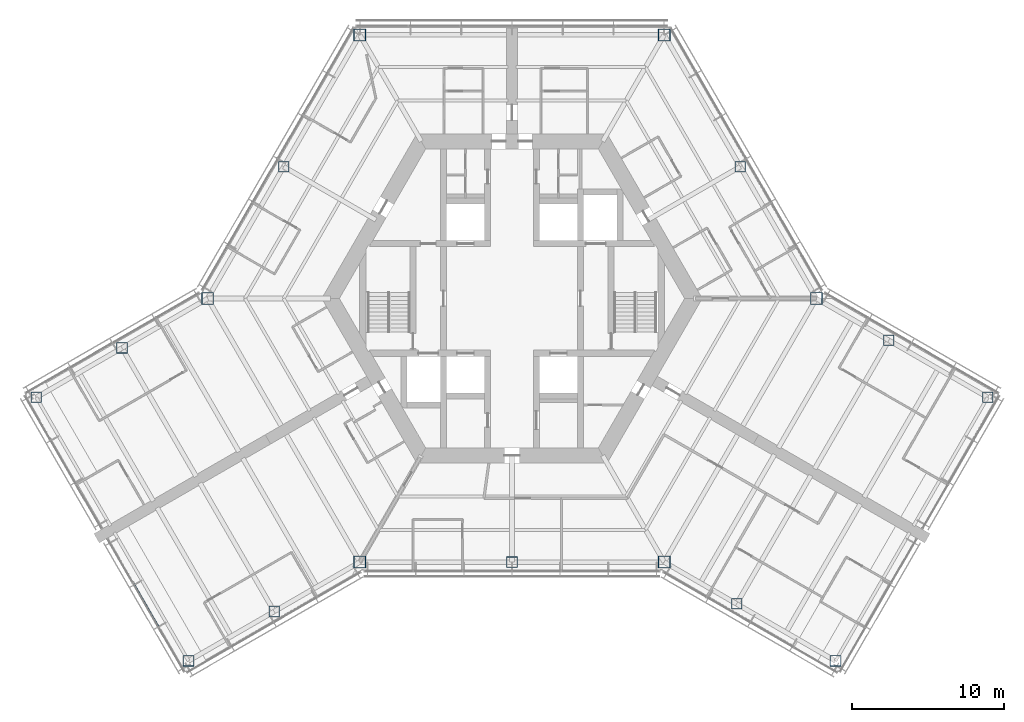
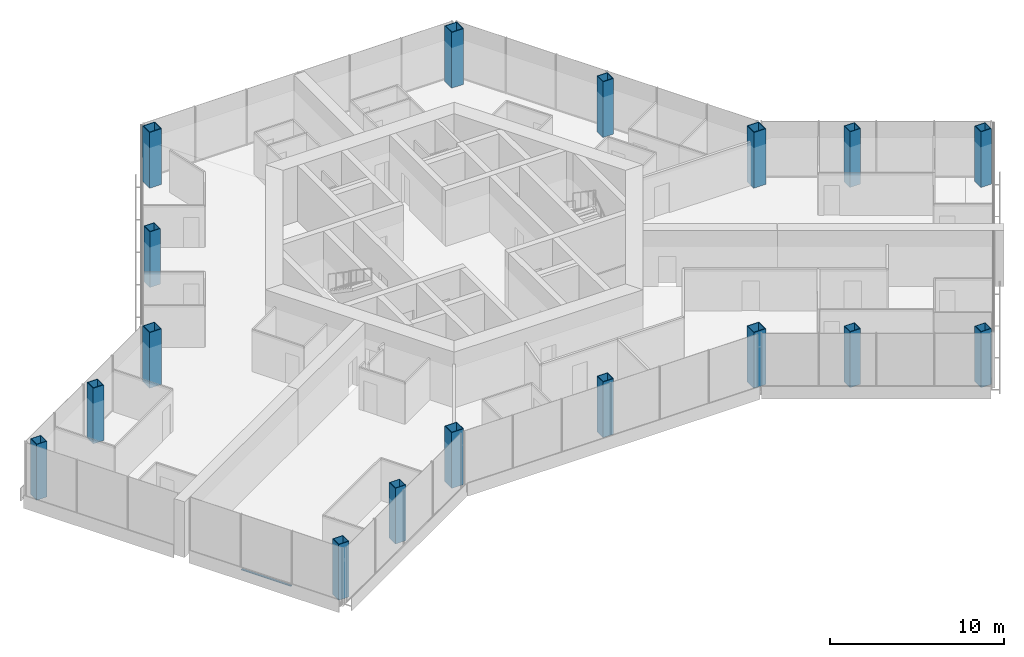
# One storey, part 1 of 18: 17 columns, 1 member, 1 element without a shape of its own.
"""IFC4 building model written with IfcOpenShell, lengths in metres."""

from ifc_helpers import new_model, si_unit, direction, frame, origin, origin_2d, place, context, subcontext, project, spatial, rectangle, hollow_rectangle, extrude, material, material_profile, profile_set, type_object, element, aggregate, save


model = new_model("IFC4")

# Units and contexts
model_context = context("Model", 3, precision=1e-05, world=origin(), true_north=direction((0.0, 1.0)))
body_context = subcontext(model_context, "Body", "Model", "MODEL_VIEW")
ifc_project = project(units=[si_unit("LENGTHUNIT", "METRE"), si_unit("AREAUNIT", "SQUARE_METRE"), si_unit("VOLUMEUNIT", "CUBIC_METRE"), si_unit("PLANEANGLEUNIT", "RADIAN"), si_unit("MASSUNIT", "GRAM", prefix="KILO")], contexts=[model_context])

# Site, building, storey
site_placement = place(None, origin())
site = spatial("IfcSite", under=ifc_project, at=site_placement, CompositionType="ELEMENT")
building_placement = place(site_placement, origin())
building = spatial("IfcBuilding", under=site, at=building_placement, Name="Kasaneha Research Tower", CompositionType="ELEMENT")
storey_placement = place(building_placement, frame((0.0, 0.0, 168.199951171875)))
storey = spatial("IfcBuildingStorey", under=building, at=storey_placement, Name="L42", CompositionType="ELEMENT", Elevation=168.199951171875)

# Columns
ifc_material_1 = material(Name="Steel SN490C", Category="steel")
ifc_material_profile_1 = material_profile(ifc_material_1, hollow_rectangle(XDim=0.800048828125, YDim=0.800048828125, WallThickness=0.044921875, at=origin_2d()), Name="BOX-800x800x45")
ifc_profile_set_1 = profile_set([ifc_material_profile_1], Name="Steel SN490C")
column_type_1 = type_object("IfcColumnType", Name="C3A column BOX-800x800x45", PredefinedType="COLUMN", material=ifc_profile_set_1)
for number, where, z_axis, x_axis, name in (
    (1, (20.0, 0.0, 0.0), (0.0, 0.0, 1.0), (1.0, 0.0, 0.0), "Column V0 L42"),
    (2, (10.0, 17.320556640625, 0.0), (0.0, 0.0, 1.0), (1.0, 0.0, 0.0), "Column V1 L42"),
    (3, (-10.0, 17.320556640625, 0.0), (0.0, 0.0, 1.0), (1.0, 0.0, 0.0), "Column V2 L42"),
    (4, (-20.0, 0.0, 0.0), (0.0, 0.0, 1.0), (1.0, 0.0, 0.0), "Column V3 L42"),
    (5, (-10.0, -17.320556640625, 0.0), (0.0, 0.0, 1.0), (1.0, 0.0, 0.0), "Column V4 L42"),
    (6, (10.0, -17.320556640625, 0.0), (0.0, 0.0, 1.0), (1.0, 0.0, 0.0), "Column V5 L42"),
):
    element("IfcColumn", number, at=place(storey_placement, frame(where, z_axis=z_axis, x_axis=x_axis)), inside=storey, type_object=column_type_1, Name=name, PredefinedType="COLUMN", context=body_context, shape_type="SweptSolid", body=[
        extrude(hollow_rectangle(XDim=0.800048828125, YDim=0.800048828125, WallThickness=0.044921875, at=origin_2d()), origin(), (0.0, 0.0, 1.0), 3.900146484375),
    ])
ifc_material_2 = material(Name="Steel SN490C", Category="steel")
ifc_material_profile_2 = material_profile(ifc_material_2, hollow_rectangle(XDim=0.699951171875, YDim=0.699951171875, WallThickness=0.035888671875, at=origin_2d()), Name="BOX-700x700x36")
ifc_profile_set_2 = profile_set([ifc_material_profile_2], Name="Steel SN490C")
column_type_2 = type_object("IfcColumnType", Name="C3B column BOX-700x700x36", PredefinedType="COLUMN", material=ifc_profile_set_2)
for number, where, z_axis, x_axis, name in (
    (7, (15.0, 8.66015625, 0.0), (0.0, 0.0, 1.0), (1.0, 0.0, 0.0), "Column M030 L42"),
    (8, (-15.0, 8.66015625, 0.0), (0.0, 0.0, 1.0), (1.0, 0.0, 0.0), "Column M150 L42"),
    (9, (0.0, -17.320556640625, 0.0), (0.0, 0.0, 1.0), (1.0, 0.0, 0.0), "Column M270 L42"),
    (10, (-25.629150390625, -3.25, 0.0), (0.0, 0.0, 1.0), (1.0, 0.0, 0.0), "Column BSP L42"),
    (11, (-31.25830078125, -6.5, 0.0), (0.0, 0.0, 1.0), (1.0, 0.0, 0.0), "Column BTP L42"),
    (12, (-15.629150390625, -20.570556640625, 0.0), (0.0, 0.0, 1.0), (1.0, 0.0, 0.0), "Column BSN L42"),
    (13, (-21.25830078125, -23.820556640625, 0.0), (0.0, 0.0, 1.0), (1.0, 0.0, 0.0), "Column BTN L42"),
    (14, (14.76318359375, -20.070556640625, 0.0), (0.0, 0.0, 1.0), (1.0, 0.0, 0.0), "Column CSP L42"),
    (15, (21.25830078125, -23.820556640625, 0.0), (0.0, 0.0, 1.0), (1.0, 0.0, 0.0), "Column CTP L42"),
    (16, (24.76318359375, -2.75, 0.0), (0.0, 0.0, 1.0), (1.0, 0.0, 0.0), "Column CSN L42"),
    (17, (31.25830078125, -6.5, 0.0), (0.0, 0.0, 1.0), (1.0, 0.0, 0.0), "Column CTN L42"),
):
    element("IfcColumn", number, at=place(storey_placement, frame(where, z_axis=z_axis, x_axis=x_axis)), inside=storey, type_object=column_type_2, Name=name, PredefinedType="COLUMN", context=body_context, shape_type="SweptSolid", body=[
        extrude(hollow_rectangle(XDim=0.699951171875, YDim=0.699951171875, WallThickness=0.035888671875, at=origin_2d()), origin(), (0.0, 0.0, 1.0), 3.900146484375),
    ])

# Curtain wall, member
ifc_material_3 = material(Name="Glass and aluminium", Category="aluminium")
curtain_wall_type = type_object("IfcCurtainWallType", Name="Mid-rise office curtain wall", PredefinedType="USERDEFINED", material=ifc_material_3)
curtain_wall_placement = place(storey_placement, origin())
curtain_wall = element("IfcCurtainWall", 18, at=curtain_wall_placement, inside=storey, type_object=curtain_wall_type, Name="CW-O2 L42 run 11a", ObjectType="UNITISED CURTAIN WALL", PredefinedType="USERDEFINED")
ifc_material_4 = material(Name="Aluminium 6063-T6", Category="aluminium")
ifc_material_profile_3 = material_profile(ifc_material_4, rectangle(XDim=0.110107421875, YDim=0.06005859375, at=origin_2d()), Name="CW-O2 transom 110x60")
ifc_profile_set_3 = profile_set([ifc_material_profile_3], Name="Aluminium 6063-T6")
member_type = type_object("IfcMemberType", Name="CW-O2 transom", PredefinedType="USERDEFINED", material=ifc_profile_set_3)
member_placement = place(storey_placement, frame((-24.896240234375, -18.719482421875, 0.030029296875), z_axis=(0.500010745865, -0.866019199568, 0.0), x_axis=(0.866019199568, 0.500010745865, 0.0)))
member = element("IfcMember", 19, at=member_placement, type_object=member_type, Name="CW-O2 transom 2", ObjectType="TRANSOM", PredefinedType="USERDEFINED", context=body_context, shape_type="SweptSolid", body=[
    extrude(rectangle(XDim=0.110107421875, YDim=0.06005859375, at=origin_2d()), origin(), (0.0, 0.0, 1.0), 3.3232421875),
])
aggregate(curtain_wall, [member])

save(model, "model.ifc")
